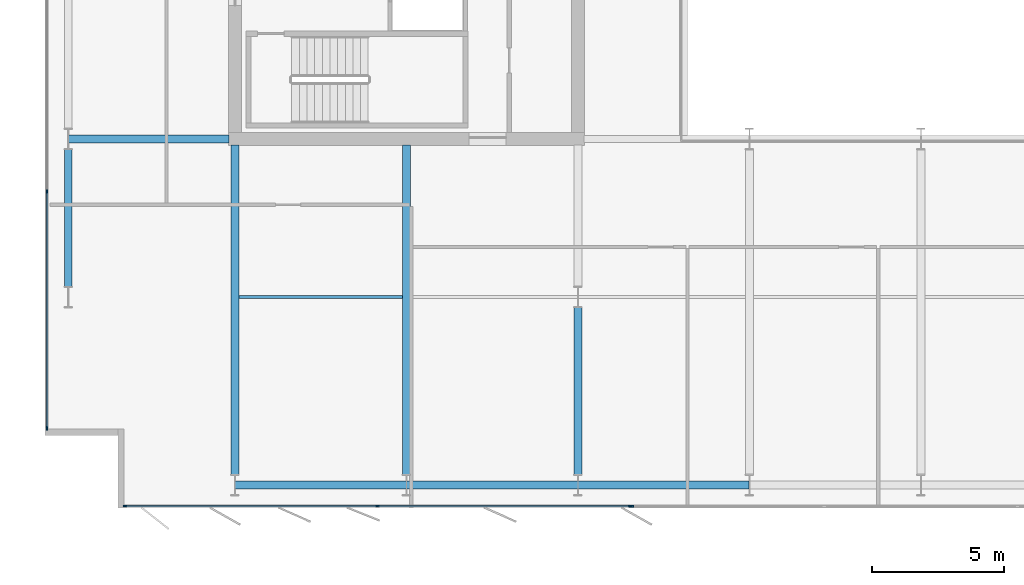
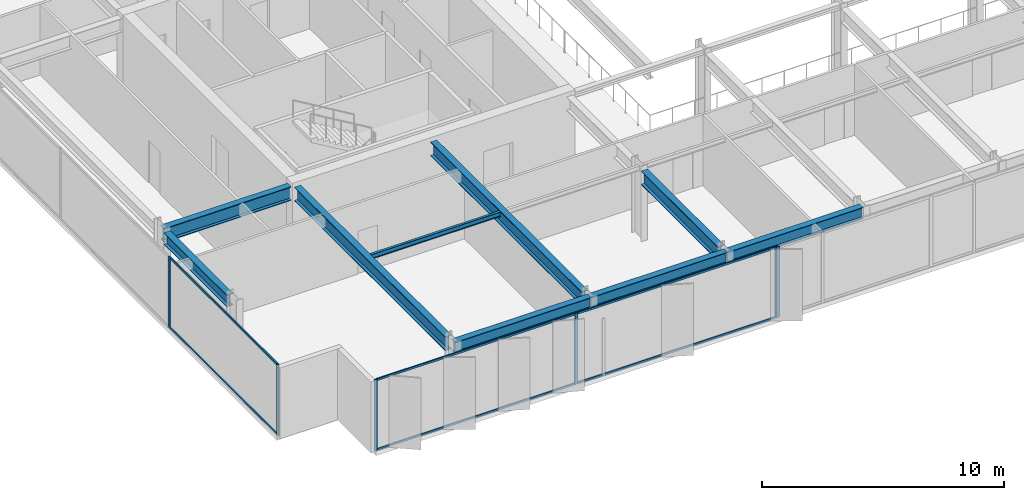
# One storey, part 3 of 23: 12 members, 9 beams, 3 elements without a shape of their own.
"""IFC4 building model written with IfcOpenShell, lengths in metres."""

from ifc_helpers import new_model, si_unit, direction, frame, origin, origin_2d, place, context, subcontext, project, spatial, rectangle, i_section, extrude, material, layer, layer_set, material_profile, profile_set, type_object, element, aggregate, save


model = new_model("IFC4")

# Units and contexts
model_context = context("Model", 3, precision=1e-05, world=origin(), true_north=direction((0.0, 1.0)))
body_context = subcontext(model_context, "Body", "Model", "MODEL_VIEW")
ifc_project = project(units=[si_unit("LENGTHUNIT", "METRE"), si_unit("AREAUNIT", "SQUARE_METRE"), si_unit("VOLUMEUNIT", "CUBIC_METRE"), si_unit("PLANEANGLEUNIT", "RADIAN"), si_unit("MASSUNIT", "GRAM", prefix="KILO")], contexts=[model_context])

# Site, building, storey
site_placement = place(None, origin())
site = spatial("IfcSite", under=ifc_project, at=site_placement, CompositionType="ELEMENT")
building_placement = place(site_placement, origin())
building = spatial("IfcBuilding", under=site, at=building_placement, Name="Putna Gate Headquarters", CompositionType="ELEMENT")
storey_placement = place(building_placement, frame((0.0, 0.0, 210.0)))
storey = spatial("IfcBuildingStorey", under=building, at=storey_placement, Name="L52", CompositionType="ELEMENT", Elevation=210.0)

# Beams
ifc_material_1 = material(Name="Steel S355J2", Category="steel")
ifc_material_profile_1 = material_profile(ifc_material_1, i_section(OverallWidth=0.300048828125, OverallDepth=0.699951171875, WebThickness=0.01708984375, FlangeThickness=0.031982421875, at=origin_2d()), Name="Steel S355J2")
ifc_profile_set_1 = profile_set([ifc_material_profile_1], Name="Steel S355J2")
beam_type_1 = type_object("IfcBeamType", Name="BM-GIRD-B-HEB700", PredefinedType="USERDEFINED", material=ifc_profile_set_1)
beam_1_placement = place(storey_placement, frame((6.68603515625, 19.0, 3.22998046875), z_axis=(1.0, 0.0, 0.0), x_axis=(0.0, 1.0, 0.0)))
element("IfcBeam", 1, at=beam_1_placement, inside=storey, type_object=beam_type_1, Name="L52 West Wing Girder Y19", ObjectType="GIRDER", PredefinedType="USERDEFINED", context=body_context, shape_type="SweptSolid", body=[
    extrude(i_section(OverallWidth=0.300048828125, OverallDepth=0.699951171875, WebThickness=0.01708984375, FlangeThickness=0.031982421875, at=origin_2d()), origin(), (0.0, 0.0, 1.0), 6.078857421875),
])
for number, where, z_axis, x_axis, name in (
    (2, (13.0, 6.27490234375, 3.22998046875), (0.0, 1.0, 0.0), (-1.0, 0.0, 0.0), "L52 South Primary Girder X13"),
    (3, (19.5, 6.27490234375, 3.22998046875), (0.0, 1.0, 0.0), (-1.0, 0.0, 0.0), "L52 South Primary Girder X19"),
):
    element("IfcBeam", number, at=place(storey_placement, frame(where, z_axis=z_axis, x_axis=x_axis)), inside=storey, type_object=beam_type_1, Name=name, ObjectType="GIRDER", PredefinedType="USERDEFINED", context=body_context, shape_type="SweptSolid", body=[
        extrude(i_section(OverallWidth=0.300048828125, OverallDepth=0.699951171875, WebThickness=0.01708984375, FlangeThickness=0.031982421875, at=origin_2d()), origin(), (0.0, 0.0, 1.0), 12.489990234375),
    ])
beam_2_placement = place(storey_placement, frame((26.0, 6.27490234375, 3.22998046875), z_axis=(0.0, 1.0, 0.0), x_axis=(-1.0, 0.0, 0.0)))
element("IfcBeam", 4, at=beam_2_placement, inside=storey, type_object=beam_type_1, Name="L52 South Primary Girder X26-1", ObjectType="GIRDER", PredefinedType="USERDEFINED", context=body_context, shape_type="SweptSolid", body=[
    extrude(i_section(OverallWidth=0.300048828125, OverallDepth=0.699951171875, WebThickness=0.01708984375, FlangeThickness=0.031982421875, at=origin_2d()), origin(), (0.0, 0.0, 1.0), 6.330078125),
])
ifc_material_profile_2 = material_profile(ifc_material_1, i_section(OverallWidth=0.1201171875, OverallDepth=0.239990234375, WebThickness=0.006103515625, FlangeThickness=0.009765625, at=origin_2d()), Name="Steel S355J2")
ifc_profile_set_2 = profile_set([ifc_material_profile_2], Name="Steel S355J2")
beam_type_2 = type_object("IfcBeamType", Name="BM-SEC-Z4-IPE240", PredefinedType="JOIST", material=ifc_profile_set_2)
beam_3_placement = place(storey_placement, frame((13.154052734375, 13.0, 3.4599609375), z_axis=(1.0, 0.0, 0.0), x_axis=(0.0, 1.0, 0.0)))
element("IfcBeam", 5, at=beam_3_placement, inside=storey, type_object=beam_type_2, Name="L52 South Secondary Beam 1", PredefinedType="JOIST", context=body_context, shape_type="SweptSolid", body=[
    extrude(i_section(OverallWidth=0.1201171875, OverallDepth=0.239990234375, WebThickness=0.006103515625, FlangeThickness=0.009765625, at=origin_2d()), origin(), (0.0, 0.0, 1.0), 6.19189453125),
])
ifc_material_profile_3 = material_profile(ifc_material_1, i_section(OverallWidth=0.300048828125, OverallDepth=0.590087890625, WebThickness=0.012939453125, FlangeThickness=0.02490234375, at=origin_2d()), Name="Steel S355J2")
ifc_profile_set_3 = profile_set([ifc_material_profile_3], Name="Steel S355J2")
beam_type_3 = type_object("IfcBeamType", Name="BM-SPAN-Z4-HEA600", PredefinedType="SPANDREL", material=ifc_profile_set_3)
for number, where, z_axis, x_axis, name in (
    (6, (13.006103515625, 5.8798828125, 3.284912109375), (1.0, 0.0, 0.0), (0.0, 1.0, 0.0), "L52 S Perimeter Spandrel 1"),
    (7, (19.506103515625, 5.8798828125, 3.284912109375), (1.0, 0.0, 0.0), (0.0, 1.0, 0.0), "L52 S Perimeter Spandrel 2"),
    (8, (26.006103515625, 5.8798828125, 3.284912109375), (1.0, 0.0, 0.0), (0.0, 1.0, 0.0), "L52 S Perimeter Spandrel 3"),
):
    element("IfcBeam", number, at=place(storey_placement, frame(where, z_axis=z_axis, x_axis=x_axis)), inside=storey, type_object=beam_type_3, Name=name, PredefinedType="SPANDREL", context=body_context, shape_type="SweptSolid", body=[
        extrude(i_section(OverallWidth=0.300048828125, OverallDepth=0.590087890625, WebThickness=0.012939453125, FlangeThickness=0.02490234375, at=origin_2d()), origin(), (0.0, 0.0, 1.0), 6.48779296875),
    ])
beam_4_placement = place(storey_placement, frame((6.679931640625, 13.39501953125, 3.284912109375), z_axis=(0.0, 1.0, 0.0), x_axis=(-1.0, 0.0, 0.0)))
element("IfcBeam", 9, at=beam_4_placement, inside=storey, type_object=beam_type_3, Name="L52 W End Spandrel 1", PredefinedType="SPANDREL", context=body_context, shape_type="SweptSolid", body=[
    extrude(i_section(OverallWidth=0.300048828125, OverallDepth=0.590087890625, WebThickness=0.012939453125, FlangeThickness=0.02490234375, at=origin_2d()), origin(), (0.0, 0.0, 1.0), 5.2099609375),
])

# Curtain wall, members
ifc_material_2 = material(Name="Anodised bronze aluminium curtain wall", Category="aluminium")
ifc_layer_1 = layer(ifc_material_2, 0.139892578125)
ifc_layer_set_1 = layer_set([ifc_layer_1], Name="Anodised bronze aluminium curtain wall")
curtain_wall_type_1 = type_object("IfcCurtainWallType", Name="CW-SYS-Z4", PredefinedType="USERDEFINED", material=ifc_layer_set_1)
curtain_wall_1_placement = place(storey_placement, origin())
curtain_wall_1 = element("IfcCurtainWall", 10, at=curtain_wall_1_placement, inside=storey, type_object=curtain_wall_type_1, Name="L52 South West Curtain Wall", ObjectType="STICK CURTAIN WALL", PredefinedType="USERDEFINED")
ifc_material_3 = material(Name="Anodised bronze aluminium EN AW-6060", Category="aluminium")
ifc_material_profile_4 = material_profile(ifc_material_3, rectangle(XDim=0.06005859375, YDim=0.139892578125, at=origin_2d()), Name="Anodised bronze aluminium EN AW-6060")
ifc_profile_set_4 = profile_set([ifc_material_profile_4], Name="Anodised bronze aluminium EN AW-6060")
member_type_1 = type_object("IfcMemberType", Name="MULL-CWM-4", PredefinedType="MULLION", material=ifc_profile_set_4)
member_1_placement = place(storey_placement, frame((8.830078125, 5.080078125, 0.0), z_axis=(0.0, 0.0, 1.0), x_axis=(0.0, 1.0, 0.0)))
member_1 = element("IfcMember", 11, at=member_1_placement, type_object=member_type_1, Name="CWS-4 mullion 1", PredefinedType="MULLION", context=body_context, shape_type="SweptSolid", body=[
    extrude(rectangle(XDim=0.06005859375, YDim=0.139892578125, at=origin_2d()), origin(), (0.0, 0.0, 1.0), 3.580078125),
])
member_2_placement = place(storey_placement, frame((18.39990234375, 5.080078125, 0.0), z_axis=(0.0, 0.0, 1.0), x_axis=(0.0, 1.0, 0.0)))
member_2 = element("IfcMember", 12, at=member_2_placement, type_object=member_type_1, Name="CWS-4 mullion 2", PredefinedType="MULLION", context=body_context, shape_type="SweptSolid", body=[
    extrude(rectangle(XDim=0.06005859375, YDim=0.139892578125, at=origin_2d()), origin(), (0.0, 0.0, 1.0), 3.580078125),
])
member_3_placement = place(storey_placement, frame((27.969970703125, 5.080078125, 0.0), z_axis=(0.0, 0.0, 1.0), x_axis=(0.0, 1.0, 0.0)))
member_3 = element("IfcMember", 13, at=member_3_placement, type_object=member_type_1, Name="CWS-4 mullion 3", PredefinedType="MULLION", context=body_context, shape_type="SweptSolid", body=[
    extrude(rectangle(XDim=0.06005859375, YDim=0.139892578125, at=origin_2d()), origin(), (0.0, 0.0, 1.0), 3.580078125),
])

curtain_wall_2_placement = place(storey_placement, origin())
curtain_wall_2 = element("IfcCurtainWall", 14, at=curtain_wall_2_placement, inside=storey, type_object=curtain_wall_type_1, Name="L52 West Curtain Wall", ObjectType="STICK CURTAIN WALL", PredefinedType="USERDEFINED")
member_4_placement = place(storey_placement, frame((5.8798828125, 8.030029296875, 0.0), z_axis=(0.0, 0.0, 1.0), x_axis=(-1.0, 0.0, 0.0)))
member_4 = element("IfcMember", 15, at=member_4_placement, type_object=member_type_1, Name="CWS-4 mullion 1", PredefinedType="MULLION", context=body_context, shape_type="SweptSolid", body=[
    extrude(rectangle(XDim=0.06005859375, YDim=0.139892578125, at=origin_2d()), origin(), (0.0, 0.0, 1.0), 3.580078125),
])
member_5_placement = place(storey_placement, frame((5.8798828125, 17.0, 0.0), z_axis=(0.0, 0.0, 1.0), x_axis=(-1.0, 0.0, 0.0)))
member_5 = element("IfcMember", 16, at=member_5_placement, type_object=member_type_1, Name="CWS-4 mullion 2", PredefinedType="MULLION", context=body_context, shape_type="SweptSolid", body=[
    extrude(rectangle(XDim=0.06005859375, YDim=0.139892578125, at=origin_2d()), origin(), (0.0, 0.0, 1.0), 3.580078125),
])

# Curtain wall, member
ifc_layer_2 = layer(ifc_material_2, 0.179931640625)
ifc_layer_set_2 = layer_set([ifc_layer_2], Name="Anodised bronze aluminium curtain wall")
curtain_wall_type_2 = type_object("IfcCurtainWallType", Name="CW-SYS-ATR", PredefinedType="USERDEFINED", material=ifc_layer_set_2)
curtain_wall_3_placement = place(storey_placement, origin())
curtain_wall_3 = element("IfcCurtainWall", 17, at=curtain_wall_3_placement, inside=storey, type_object=curtain_wall_type_2, Name="L52 South Atrium Clear Glazing", ObjectType="ATRIUM GLAZING", PredefinedType="USERDEFINED")
ifc_material_profile_5 = material_profile(ifc_material_3, rectangle(XDim=0.070068359375, YDim=0.179931640625, at=origin_2d()), Name="Anodised bronze aluminium EN AW-6060")
ifc_profile_set_5 = profile_set([ifc_material_profile_5], Name="Anodised bronze aluminium EN AW-6060")
member_type_2 = type_object("IfcMemberType", Name="MULL-CWM-AT", PredefinedType="MULLION", material=ifc_profile_set_5)
member_6_placement = place(storey_placement, frame((28.034912109375, 5.080078125, 0.0), z_axis=(0.0, 0.0, 1.0), x_axis=(0.0, 1.0, 0.0)))
member_6 = element("IfcMember", 18, at=member_6_placement, type_object=member_type_2, Name="CWS-AT mullion 1", PredefinedType="MULLION", context=body_context, shape_type="SweptSolid", body=[
    extrude(rectangle(XDim=0.070068359375, YDim=0.179931640625, at=origin_2d()), origin(), (0.0, 0.0, 1.0), 3.580078125),
])
aggregate(curtain_wall_3, [member_6])

# Member
ifc_material_profile_6 = material_profile(ifc_material_3, rectangle(XDim=0.06005859375, YDim=0.10009765625, at=origin_2d()), Name="Anodised bronze aluminium EN AW-6060")
ifc_profile_set_6 = profile_set([ifc_material_profile_6], Name="Anodised bronze aluminium EN AW-6060")
member_type_3 = type_object("IfcMemberType", Name="TRAN-CWT-4", PredefinedType="USERDEFINED", material=ifc_profile_set_6)
member_7_placement = place(storey_placement, frame((8.860107421875, 5.080078125, 0.030029296875), z_axis=(1.0, 0.0, 0.0), x_axis=(0.0, 1.0, 0.0)))
member_7 = element("IfcMember", 19, at=member_7_placement, type_object=member_type_3, Name="CWS-4 transom 1.1", ObjectType="TRANSOM", PredefinedType="USERDEFINED", context=body_context, shape_type="SweptSolid", body=[
    extrude(rectangle(XDim=0.06005859375, YDim=0.10009765625, at=origin_2d()), origin(), (0.0, 0.0, 1.0), 9.510009765625),
])

member_8_placement = place(storey_placement, frame((8.860107421875, 5.080078125, 3.550048828125), z_axis=(1.0, 0.0, 0.0), x_axis=(0.0, 1.0, 0.0)))
member_8 = element("IfcMember", 20, at=member_8_placement, type_object=member_type_3, Name="CWS-4 transom 1.2", ObjectType="TRANSOM", PredefinedType="USERDEFINED", context=body_context, shape_type="SweptSolid", body=[
    extrude(rectangle(XDim=0.06005859375, YDim=0.10009765625, at=origin_2d()), origin(), (0.0, 0.0, 1.0), 9.510009765625),
])

member_9_placement = place(storey_placement, frame((18.429931640625, 5.080078125, 0.030029296875), z_axis=(1.0, 0.0, 0.0), x_axis=(0.0, 1.0, 0.0)))
member_9 = element("IfcMember", 21, at=member_9_placement, type_object=member_type_3, Name="CWS-4 transom 2.1", ObjectType="TRANSOM", PredefinedType="USERDEFINED", context=body_context, shape_type="SweptSolid", body=[
    extrude(rectangle(XDim=0.06005859375, YDim=0.10009765625, at=origin_2d()), origin(), (0.0, 0.0, 1.0), 9.510009765625),
])

member_10_placement = place(storey_placement, frame((18.429931640625, 5.080078125, 3.550048828125), z_axis=(1.0, 0.0, 0.0), x_axis=(0.0, 1.0, 0.0)))
member_10 = element("IfcMember", 22, at=member_10_placement, type_object=member_type_3, Name="CWS-4 transom 2.2", ObjectType="TRANSOM", PredefinedType="USERDEFINED", context=body_context, shape_type="SweptSolid", body=[
    extrude(rectangle(XDim=0.06005859375, YDim=0.10009765625, at=origin_2d()), origin(), (0.0, 0.0, 1.0), 9.510009765625),
])

aggregate(curtain_wall_1, [member_1, member_2, member_3, member_7, member_8, member_9, member_10])

member_11_placement = place(storey_placement, frame((5.8798828125, 8.06005859375, 0.030029296875), z_axis=(0.0, 1.0, 0.0), x_axis=(-1.0, 0.0, 0.0)))
member_11 = element("IfcMember", 23, at=member_11_placement, type_object=member_type_3, Name="CWS-4 transom 1.1", ObjectType="TRANSOM", PredefinedType="USERDEFINED", context=body_context, shape_type="SweptSolid", body=[
    extrude(rectangle(XDim=0.06005859375, YDim=0.10009765625, at=origin_2d()), origin(), (0.0, 0.0, 1.0), 8.909912109375),
])

member_12_placement = place(storey_placement, frame((5.8798828125, 8.06005859375, 3.550048828125), z_axis=(0.0, 1.0, 0.0), x_axis=(-1.0, 0.0, 0.0)))
member_12 = element("IfcMember", 24, at=member_12_placement, type_object=member_type_3, Name="CWS-4 transom 1.2", ObjectType="TRANSOM", PredefinedType="USERDEFINED", context=body_context, shape_type="SweptSolid", body=[
    extrude(rectangle(XDim=0.06005859375, YDim=0.10009765625, at=origin_2d()), origin(), (0.0, 0.0, 1.0), 8.909912109375),
])

aggregate(curtain_wall_2, [member_4, member_5, member_11, member_12])

save(model, "model.ifc")
